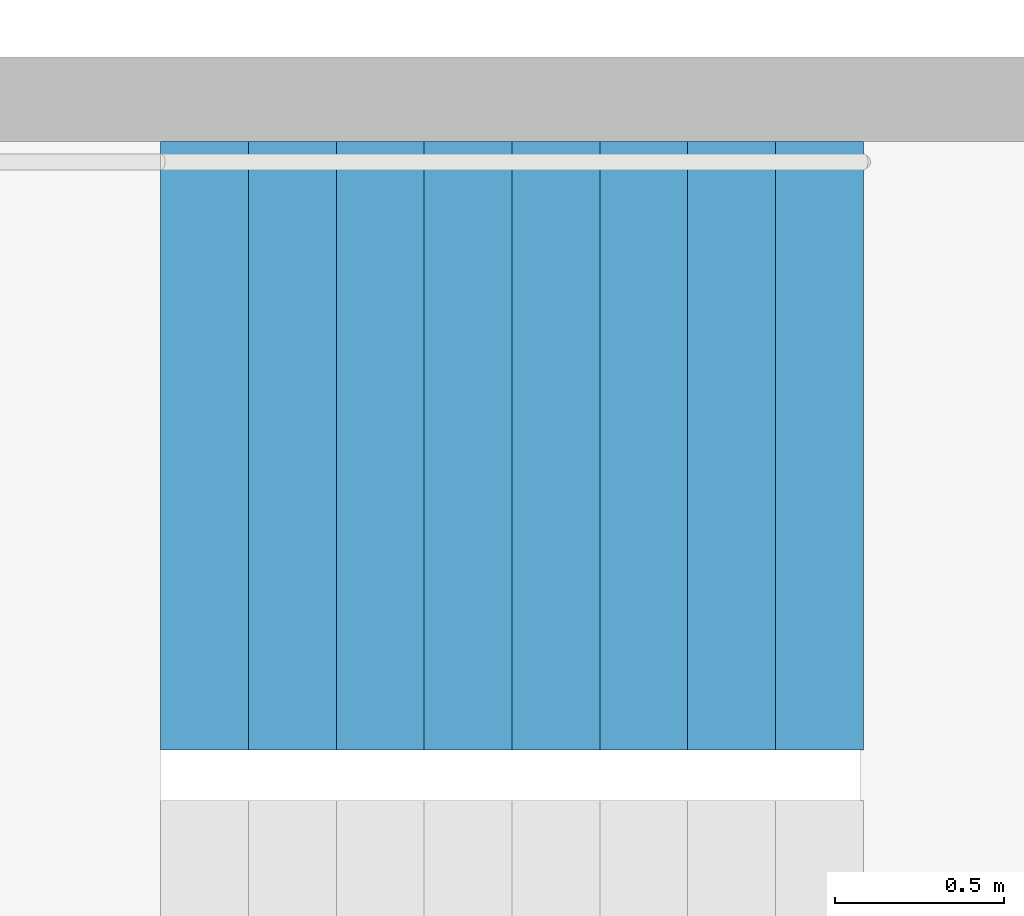
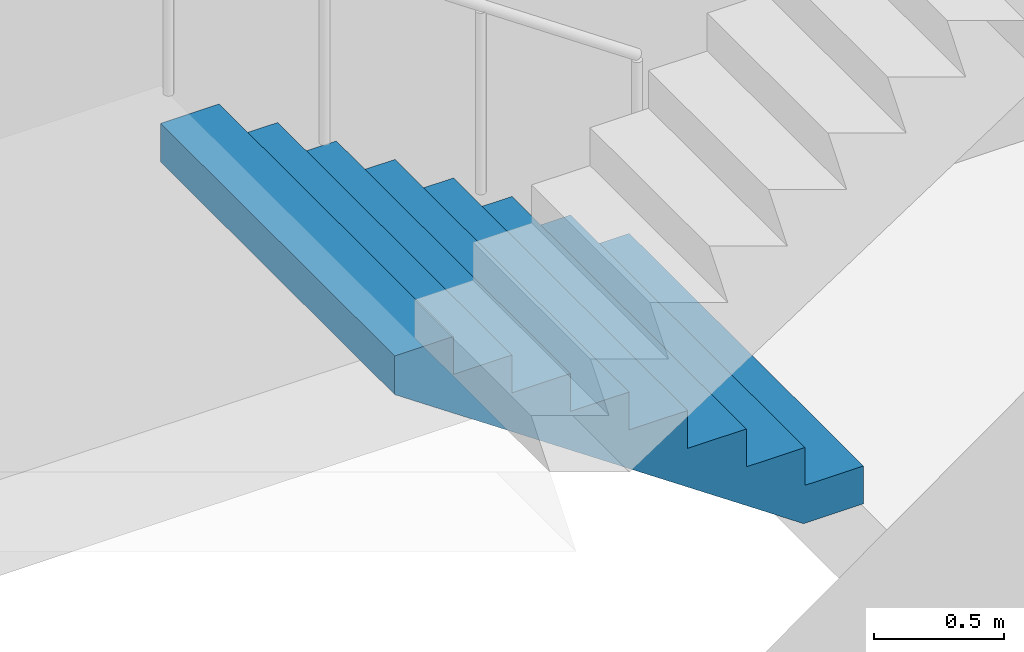
# One storey, part 18 of 29: 1 stair flight, 1 element without a shape of its own.
"""IFC4 building model written with IfcOpenShell, lengths in metres."""

from ifc_helpers import new_model, si_unit, direction, frame, origin, place, context, subcontext, project, spatial, triangles, material, type_object, element, aggregate, save


model = new_model("IFC4")

# Units and contexts
model_context = context("Model", 3, precision=1e-05, world=origin(), true_north=direction((0.0, 1.0)))
body_context = subcontext(model_context, "Body", "Model", "MODEL_VIEW")
ifc_project = project(units=[si_unit("LENGTHUNIT", "METRE"), si_unit("AREAUNIT", "SQUARE_METRE"), si_unit("VOLUMEUNIT", "CUBIC_METRE"), si_unit("PLANEANGLEUNIT", "RADIAN"), si_unit("MASSUNIT", "GRAM", prefix="KILO")], contexts=[model_context])

# Site, building, storey
site_placement = place(None, origin())
site = spatial("IfcSite", under=ifc_project, at=site_placement, CompositionType="ELEMENT")
building_placement = place(site_placement, origin())
building = spatial("IfcBuilding", under=site, at=building_placement, Name="Hakoniwa Tower and Hamabe Station Hall", CompositionType="ELEMENT")
storey_placement = place(building_placement, frame((0.0, 0.0, 258.199951171875)))
storey = spatial("IfcBuildingStorey", under=building, at=storey_placement, Name="L73", CompositionType="ELEMENT", Elevation=258.199951171875)

# Stair, stair flight
ifc_material_1 = material(Name="Concrete C40", Category="concrete")
stair_type = type_object("IfcStairType", Name="ESCAPE STAIR 1800", PredefinedType="HALF_TURN_STAIR", material=ifc_material_1)
stair_placement = place(storey_placement, origin())
stair = element("IfcStair", 1, at=stair_placement, inside=storey, type_object=stair_type, Name="Escape stair ST-2 L73", PredefinedType="HALF_TURN_STAIR")
ifc_material_2 = material(Name="Concrete C40", Category="concrete")
stair_flight_type = type_object("IfcStairFlightType", Name="STAIR FLIGHT 1800", PredefinedType="STRAIGHT", material=ifc_material_2)
stair_flight_placement = place(storey_placement, frame((-23.39990234375, -4.64990234375, 0.0), z_axis=(0.0, 0.0, 1.0), x_axis=(-1.0, 0.0, 0.0)))
stair_flight = element("IfcStairFlight", 2, at=stair_flight_placement, type_object=stair_flight_type, Name="ST-2 flight 1", NumberOfRisers=9, NumberOfTreads=8, PredefinedType="STRAIGHT", RiserHeight=0.177777778, TreadLength=0.26, context=body_context, shape_type="Tessellation", body=[
    triangles([(0.0, 0.89990234375, 0.0), (0.260009765625, 0.89990234375, 0.0), (0.265625, 0.89990234375, 0.0), (0.52001953125, 0.89990234375, 0.174072265625), (0.780029296875, 0.89990234375, 0.351806640625), (1.0400390625, 0.89990234375, 0.529541015625), (1.300048828125, 0.89990234375, 0.707275390625), (1.56005859375, 0.89990234375, 0.885009765625), (1.820068359375, 0.89990234375, 1.062744140625), (2.080078125, 0.89990234375, 1.24072265625), (2.080078125, 0.89990234375, 1.422119140625), (1.820068359375, 0.89990234375, 1.422119140625), (1.820068359375, 0.89990234375, 1.244384765625), (1.56005859375, 0.89990234375, 1.244384765625), (1.56005859375, 0.89990234375, 1.066650390625), (1.300048828125, 0.89990234375, 1.066650390625), (1.300048828125, 0.89990234375, 0.888916015625), (1.0400390625, 0.89990234375, 0.888916015625), (1.0400390625, 0.89990234375, 0.711181640625), (0.780029296875, 0.89990234375, 0.711181640625), (0.780029296875, 0.89990234375, 0.533447265625), (0.52001953125, 0.89990234375, 0.533447265625), (0.52001953125, 0.89990234375, 0.35546875), (0.265625, 0.89990234375, 0.35546875), (0.260009765625, 0.89990234375, 0.35546875), (0.260009765625, 0.89990234375, 0.177734375), (0.0, 0.89990234375, 0.177734375), (0.0, 0.06005859375, 0.0), (0.260009765625, 0.06005859375, 0.0), (0.265625, 0.06005859375, 0.0), (0.52001953125, 0.06005859375, 0.174072265625), (0.780029296875, 0.06005859375, 0.351806640625), (1.0400390625, 0.06005859375, 0.529541015625), (1.300048828125, 0.06005859375, 0.707275390625), (1.56005859375, 0.06005859375, 0.885009765625), (1.820068359375, 0.06005859375, 1.062744140625), (2.080078125, 0.06005859375, 1.24072265625), (2.080078125, 0.06005859375, 1.422119140625), (1.820068359375, 0.06005859375, 1.422119140625), (1.820068359375, 0.06005859375, 1.244384765625), (1.56005859375, 0.06005859375, 1.244384765625), (1.56005859375, 0.06005859375, 1.066650390625), (1.300048828125, 0.06005859375, 1.066650390625), (1.300048828125, 0.06005859375, 0.888916015625), (1.0400390625, 0.06005859375, 0.888916015625), (1.0400390625, 0.06005859375, 0.711181640625), (0.780029296875, 0.06005859375, 0.711181640625), (0.780029296875, 0.06005859375, 0.533447265625), (0.52001953125, 0.06005859375, 0.533447265625), (0.52001953125, 0.06005859375, 0.35546875), (0.265625, 0.06005859375, 0.35546875), (0.260009765625, 0.06005859375, 0.35546875), (0.260009765625, 0.06005859375, 0.177734375), (0.0, 0.06005859375, 0.177734375), (0.0, 0.04296875, 0.0), (0.260009765625, 0.04296875, 0.0), (0.265625, 0.04296875, 0.0), (0.52001953125, 0.04296875, 0.174072265625), (0.780029296875, 0.04296875, 0.351806640625), (1.0400390625, 0.04296875, 0.529541015625), (1.300048828125, 0.04296875, 0.707275390625), (1.56005859375, 0.04296875, 0.885009765625), (1.820068359375, 0.04296875, 1.062744140625), (2.080078125, 0.04296875, 1.24072265625), (2.080078125, 0.04296875, 1.422119140625), (1.820068359375, 0.04296875, 1.422119140625), (1.820068359375, 0.04296875, 1.244384765625), (1.56005859375, 0.04296875, 1.244384765625), (1.56005859375, 0.04296875, 1.066650390625), (1.300048828125, 0.04296875, 1.066650390625), (1.300048828125, 0.04296875, 0.888916015625), (1.0400390625, 0.04296875, 0.888916015625), (1.0400390625, 0.04296875, 0.711181640625), (0.780029296875, 0.04296875, 0.711181640625), (0.780029296875, 0.04296875, 0.533447265625), (0.52001953125, 0.04296875, 0.533447265625), (0.52001953125, 0.04296875, 0.35546875), (0.265625, 0.04296875, 0.35546875), (0.260009765625, 0.04296875, 0.35546875), (0.260009765625, 0.04296875, 0.177734375), (0.0, 0.04296875, 0.177734375), (0.0, 0.025634765625, 0.0), (0.260009765625, 0.025634765625, 0.0), (0.265625, 0.025634765625, 0.0), (0.52001953125, 0.025634765625, 0.174072265625), (0.780029296875, 0.025634765625, 0.351806640625), (1.0400390625, 0.025634765625, 0.529541015625), (1.300048828125, 0.025634765625, 0.707275390625), (1.56005859375, 0.025634765625, 0.885009765625), (1.820068359375, 0.025634765625, 1.062744140625), (2.080078125, 0.025634765625, 1.24072265625), (2.080078125, 0.025634765625, 1.422119140625), (1.820068359375, 0.025634765625, 1.422119140625), (1.820068359375, 0.025634765625, 1.244384765625), (1.56005859375, 0.025634765625, 1.244384765625), (1.56005859375, 0.025634765625, 1.066650390625), (1.300048828125, 0.025634765625, 1.066650390625), (1.300048828125, 0.025634765625, 0.888916015625), (1.0400390625, 0.025634765625, 0.888916015625), (1.0400390625, 0.025634765625, 0.711181640625), (0.780029296875, 0.025634765625, 0.711181640625), (0.780029296875, 0.025634765625, 0.533447265625), (0.52001953125, 0.025634765625, 0.533447265625), (0.52001953125, 0.025634765625, 0.35546875), (0.265625, 0.025634765625, 0.35546875), (0.260009765625, 0.025634765625, 0.35546875), (0.260009765625, 0.025634765625, 0.177734375), (0.0, 0.025634765625, 0.177734375), (0.0, 0.008544921875, 0.0), (0.260009765625, 0.008544921875, 0.0), (0.265625, 0.008544921875, 0.0), (0.52001953125, 0.008544921875, 0.174072265625), (0.780029296875, 0.008544921875, 0.351806640625), (1.0400390625, 0.008544921875, 0.529541015625), (1.300048828125, 0.008544921875, 0.707275390625), (1.56005859375, 0.008544921875, 0.885009765625), (1.820068359375, 0.008544921875, 1.062744140625), (2.080078125, 0.008544921875, 1.24072265625), (2.080078125, 0.008544921875, 1.422119140625), (1.820068359375, 0.008544921875, 1.422119140625), (1.820068359375, 0.008544921875, 1.244384765625), (1.56005859375, 0.008544921875, 1.244384765625), (1.56005859375, 0.008544921875, 1.066650390625), (1.300048828125, 0.008544921875, 1.066650390625), (1.300048828125, 0.008544921875, 0.888916015625), (1.0400390625, 0.008544921875, 0.888916015625), (1.0400390625, 0.008544921875, 0.711181640625), (0.780029296875, 0.008544921875, 0.711181640625), (0.780029296875, 0.008544921875, 0.533447265625), (0.52001953125, 0.008544921875, 0.533447265625), (0.52001953125, 0.008544921875, 0.35546875), (0.265625, 0.008544921875, 0.35546875), (0.260009765625, 0.008544921875, 0.35546875), (0.260009765625, 0.008544921875, 0.177734375), (0.0, 0.008544921875, 0.177734375), (0.0, -0.008544921875, 0.0), (0.260009765625, -0.008544921875, 0.0), (0.265625, -0.008544921875, 0.0), (0.52001953125, -0.008544921875, 0.174072265625), (0.780029296875, -0.008544921875, 0.351806640625), (1.0400390625, -0.008544921875, 0.529541015625), (1.300048828125, -0.008544921875, 0.707275390625), (1.56005859375, -0.008544921875, 0.885009765625), (1.820068359375, -0.008544921875, 1.062744140625), (2.080078125, -0.008544921875, 1.24072265625), (2.080078125, -0.008544921875, 1.422119140625), (1.820068359375, -0.008544921875, 1.422119140625), (1.820068359375, -0.008544921875, 1.244384765625), (1.56005859375, -0.008544921875, 1.244384765625), (1.56005859375, -0.008544921875, 1.066650390625), (1.300048828125, -0.008544921875, 1.066650390625), (1.300048828125, -0.008544921875, 0.888916015625), (1.0400390625, -0.008544921875, 0.888916015625), (1.0400390625, -0.008544921875, 0.711181640625), (0.780029296875, -0.008544921875, 0.711181640625), (0.780029296875, -0.008544921875, 0.533447265625), (0.52001953125, -0.008544921875, 0.533447265625), (0.52001953125, -0.008544921875, 0.35546875), (0.265625, -0.008544921875, 0.35546875), (0.260009765625, -0.008544921875, 0.35546875), (0.260009765625, -0.008544921875, 0.177734375), (0.0, -0.008544921875, 0.177734375), (0.0, -0.025634765625, 0.0), (0.260009765625, -0.025634765625, 0.0), (0.265625, -0.025634765625, 0.0), (0.52001953125, -0.025634765625, 0.174072265625), (0.780029296875, -0.025634765625, 0.351806640625), (1.0400390625, -0.025634765625, 0.529541015625), (1.300048828125, -0.025634765625, 0.707275390625), (1.56005859375, -0.025634765625, 0.885009765625), (1.820068359375, -0.025634765625, 1.062744140625), (2.080078125, -0.025634765625, 1.24072265625), (2.080078125, -0.025634765625, 1.422119140625), (1.820068359375, -0.025634765625, 1.422119140625), (1.820068359375, -0.025634765625, 1.244384765625), (1.56005859375, -0.025634765625, 1.244384765625), (1.56005859375, -0.025634765625, 1.066650390625), (1.300048828125, -0.025634765625, 1.066650390625), (1.300048828125, -0.025634765625, 0.888916015625), (1.0400390625, -0.025634765625, 0.888916015625), (1.0400390625, -0.025634765625, 0.711181640625), (0.780029296875, -0.025634765625, 0.711181640625), (0.780029296875, -0.025634765625, 0.533447265625), (0.52001953125, -0.025634765625, 0.533447265625), (0.52001953125, -0.025634765625, 0.35546875), (0.265625, -0.025634765625, 0.35546875), (0.260009765625, -0.025634765625, 0.35546875), (0.260009765625, -0.025634765625, 0.177734375), (0.0, -0.025634765625, 0.177734375), (0.0, -0.04296875, 0.0), (0.260009765625, -0.04296875, 0.0), (0.265625, -0.04296875, 0.0), (0.52001953125, -0.04296875, 0.174072265625), (0.780029296875, -0.04296875, 0.351806640625), (1.0400390625, -0.04296875, 0.529541015625), (1.300048828125, -0.04296875, 0.707275390625), (1.56005859375, -0.04296875, 0.885009765625), (1.820068359375, -0.04296875, 1.062744140625), (2.080078125, -0.04296875, 1.24072265625), (2.080078125, -0.04296875, 1.422119140625), (1.820068359375, -0.04296875, 1.422119140625), (1.820068359375, -0.04296875, 1.244384765625), (1.56005859375, -0.04296875, 1.244384765625), (1.56005859375, -0.04296875, 1.066650390625), (1.300048828125, -0.04296875, 1.066650390625), (1.300048828125, -0.04296875, 0.888916015625), (1.0400390625, -0.04296875, 0.888916015625), (1.0400390625, -0.04296875, 0.711181640625), (0.780029296875, -0.04296875, 0.711181640625), (0.780029296875, -0.04296875, 0.533447265625), (0.52001953125, -0.04296875, 0.533447265625), (0.52001953125, -0.04296875, 0.35546875), (0.265625, -0.04296875, 0.35546875), (0.260009765625, -0.04296875, 0.35546875), (0.260009765625, -0.04296875, 0.177734375), (0.0, -0.04296875, 0.177734375), (0.0, -0.06005859375, 0.0), (0.260009765625, -0.06005859375, 0.0), (0.265625, -0.06005859375, 0.0), (0.52001953125, -0.06005859375, 0.174072265625), (0.780029296875, -0.06005859375, 0.351806640625), (1.0400390625, -0.06005859375, 0.529541015625), (1.300048828125, -0.06005859375, 0.707275390625), (1.56005859375, -0.06005859375, 0.885009765625), (1.820068359375, -0.06005859375, 1.062744140625), (2.080078125, -0.06005859375, 1.24072265625), (2.080078125, -0.06005859375, 1.422119140625), (1.820068359375, -0.06005859375, 1.422119140625), (1.820068359375, -0.06005859375, 1.244384765625), (1.56005859375, -0.06005859375, 1.244384765625), (1.56005859375, -0.06005859375, 1.066650390625), (1.300048828125, -0.06005859375, 1.066650390625), (1.300048828125, -0.06005859375, 0.888916015625), (1.0400390625, -0.06005859375, 0.888916015625), (1.0400390625, -0.06005859375, 0.711181640625), (0.780029296875, -0.06005859375, 0.711181640625), (0.780029296875, -0.06005859375, 0.533447265625), (0.52001953125, -0.06005859375, 0.533447265625), (0.52001953125, -0.06005859375, 0.35546875), (0.265625, -0.06005859375, 0.35546875), (0.260009765625, -0.06005859375, 0.35546875), (0.260009765625, -0.06005859375, 0.177734375), (0.0, -0.06005859375, 0.177734375), (0.0, -0.89990234375, 0.0), (0.260009765625, -0.89990234375, 0.0), (0.265625, -0.89990234375, 0.0), (0.52001953125, -0.89990234375, 0.174072265625), (0.780029296875, -0.89990234375, 0.351806640625), (1.0400390625, -0.89990234375, 0.529541015625), (1.300048828125, -0.89990234375, 0.707275390625), (1.56005859375, -0.89990234375, 0.885009765625), (1.820068359375, -0.89990234375, 1.062744140625), (2.080078125, -0.89990234375, 1.24072265625), (2.080078125, -0.89990234375, 1.422119140625), (1.820068359375, -0.89990234375, 1.422119140625), (1.820068359375, -0.89990234375, 1.244384765625), (1.56005859375, -0.89990234375, 1.244384765625), (1.56005859375, -0.89990234375, 1.066650390625), (1.300048828125, -0.89990234375, 1.066650390625), (1.300048828125, -0.89990234375, 0.888916015625), (1.0400390625, -0.89990234375, 0.888916015625), (1.0400390625, -0.89990234375, 0.711181640625), (0.780029296875, -0.89990234375, 0.711181640625), (0.780029296875, -0.89990234375, 0.533447265625), (0.52001953125, -0.89990234375, 0.533447265625), (0.52001953125, -0.89990234375, 0.35546875), (0.265625, -0.89990234375, 0.35546875), (0.260009765625, -0.89990234375, 0.35546875), (0.260009765625, -0.89990234375, 0.177734375), (0.0, -0.89990234375, 0.177734375)], [[2, 27, 26], [245, 269, 270], [2, 1, 27], [245, 270, 244], [3, 25, 24], [246, 267, 268], [3, 26, 25], [246, 268, 269], [3, 2, 26], [246, 269, 245], [4, 24, 23], [247, 266, 267], [4, 3, 24], [247, 267, 246], [5, 22, 21], [248, 264, 265], [5, 23, 22], [248, 265, 266], [5, 4, 23], [248, 266, 247], [6, 20, 19], [249, 262, 263], [6, 21, 20], [249, 263, 264], [6, 5, 21], [249, 264, 248], [7, 18, 17], [250, 260, 261], [7, 19, 18], [250, 261, 262], [7, 6, 19], [250, 262, 249], [8, 16, 15], [251, 258, 259], [8, 17, 16], [251, 259, 260], [8, 7, 17], [251, 260, 250], [9, 14, 13], [252, 256, 257], [9, 15, 14], [252, 257, 258], [9, 8, 15], [252, 258, 251], [10, 12, 11], [253, 254, 255], [10, 13, 12], [253, 255, 256], [10, 9, 13], [253, 256, 252], [1, 2, 29], [1, 29, 28], [28, 29, 56], [28, 56, 55], [55, 56, 83], [55, 83, 82], [82, 83, 110], [82, 110, 109], [109, 110, 137], [109, 137, 136], [136, 137, 164], [136, 164, 163], [163, 164, 191], [163, 191, 190], [190, 191, 218], [190, 218, 217], [217, 218, 245], [217, 245, 244], [2, 3, 30], [2, 30, 29], [29, 30, 57], [29, 57, 56], [56, 57, 84], [56, 84, 83], [83, 84, 111], [83, 111, 110], [110, 111, 138], [110, 138, 137], [137, 138, 165], [137, 165, 164], [164, 165, 192], [164, 192, 191], [191, 192, 219], [191, 219, 218], [218, 219, 246], [218, 246, 245], [3, 4, 31], [3, 31, 30], [30, 31, 58], [30, 58, 57], [57, 58, 85], [57, 85, 84], [84, 85, 112], [84, 112, 111], [111, 112, 139], [111, 139, 138], [138, 139, 166], [138, 166, 165], [165, 166, 193], [165, 193, 192], [192, 193, 220], [192, 220, 219], [219, 220, 247], [219, 247, 246], [4, 5, 32], [4, 32, 31], [31, 32, 59], [31, 59, 58], [58, 59, 86], [58, 86, 85], [85, 86, 113], [85, 113, 112], [112, 113, 140], [112, 140, 139], [139, 140, 167], [139, 167, 166], [166, 167, 194], [166, 194, 193], [193, 194, 221], [193, 221, 220], [220, 221, 248], [220, 248, 247], [5, 6, 33], [5, 33, 32], [32, 33, 60], [32, 60, 59], [59, 60, 87], [59, 87, 86], [86, 87, 114], [86, 114, 113], [113, 114, 141], [113, 141, 140], [140, 141, 168], [140, 168, 167], [167, 168, 195], [167, 195, 194], [194, 195, 222], [194, 222, 221], [221, 222, 249], [221, 249, 248], [6, 7, 34], [6, 34, 33], [33, 34, 61], [33, 61, 60], [60, 61, 88], [60, 88, 87], [87, 88, 115], [87, 115, 114], [114, 115, 142], [114, 142, 141], [141, 142, 169], [141, 169, 168], [168, 169, 196], [168, 196, 195], [195, 196, 223], [195, 223, 222], [222, 223, 250], [222, 250, 249], [7, 8, 35], [7, 35, 34], [34, 35, 62], [34, 62, 61], [61, 62, 89], [61, 89, 88], [88, 89, 116], [88, 116, 115], [115, 116, 143], [115, 143, 142], [142, 143, 170], [142, 170, 169], [169, 170, 197], [169, 197, 196], [196, 197, 224], [196, 224, 223], [223, 224, 251], [223, 251, 250], [8, 9, 36], [8, 36, 35], [35, 36, 63], [35, 63, 62], [62, 63, 90], [62, 90, 89], [89, 90, 117], [89, 117, 116], [116, 117, 144], [116, 144, 143], [143, 144, 171], [143, 171, 170], [170, 171, 198], [170, 198, 197], [197, 198, 225], [197, 225, 224], [224, 225, 252], [224, 252, 251], [9, 10, 37], [9, 37, 36], [36, 37, 64], [36, 64, 63], [63, 64, 91], [63, 91, 90], [90, 91, 118], [90, 118, 117], [117, 118, 145], [117, 145, 144], [144, 145, 172], [144, 172, 171], [171, 172, 199], [171, 199, 198], [198, 199, 226], [198, 226, 225], [225, 226, 253], [225, 253, 252], [10, 11, 38], [10, 38, 37], [37, 38, 65], [37, 65, 64], [64, 65, 92], [64, 92, 91], [91, 92, 119], [91, 119, 118], [118, 119, 146], [118, 146, 145], [145, 146, 173], [145, 173, 172], [172, 173, 200], [172, 200, 199], [199, 200, 227], [199, 227, 226], [226, 227, 254], [226, 254, 253], [11, 12, 39], [11, 39, 38], [38, 39, 66], [38, 66, 65], [65, 66, 93], [65, 93, 92], [92, 93, 120], [92, 120, 119], [119, 120, 147], [119, 147, 146], [146, 147, 174], [146, 174, 173], [173, 174, 201], [173, 201, 200], [200, 201, 228], [200, 228, 227], [227, 228, 255], [227, 255, 254], [12, 13, 40], [12, 40, 39], [39, 40, 67], [39, 67, 66], [66, 67, 94], [66, 94, 93], [93, 94, 121], [93, 121, 120], [120, 121, 148], [120, 148, 147], [147, 148, 175], [147, 175, 174], [174, 175, 202], [174, 202, 201], [201, 202, 229], [201, 229, 228], [228, 229, 256], [228, 256, 255], [13, 14, 41], [13, 41, 40], [40, 41, 68], [40, 68, 67], [67, 68, 95], [67, 95, 94], [94, 95, 122], [94, 122, 121], [121, 122, 149], [121, 149, 148], [148, 149, 176], [148, 176, 175], [175, 176, 203], [175, 203, 202], [202, 203, 230], [202, 230, 229], [229, 230, 257], [229, 257, 256], [14, 15, 42], [14, 42, 41], [41, 42, 69], [41, 69, 68], [68, 69, 96], [68, 96, 95], [95, 96, 123], [95, 123, 122], [122, 123, 150], [122, 150, 149], [149, 150, 177], [149, 177, 176], [176, 177, 204], [176, 204, 203], [203, 204, 231], [203, 231, 230], [230, 231, 258], [230, 258, 257], [15, 16, 43], [15, 43, 42], [42, 43, 70], [42, 70, 69], [69, 70, 97], [69, 97, 96], [96, 97, 124], [96, 124, 123], [123, 124, 151], [123, 151, 150], [150, 151, 178], [150, 178, 177], [177, 178, 205], [177, 205, 204], [204, 205, 232], [204, 232, 231], [231, 232, 259], [231, 259, 258], [16, 17, 44], [16, 44, 43], [43, 44, 71], [43, 71, 70], [70, 71, 98], [70, 98, 97], [97, 98, 125], [97, 125, 124], [124, 125, 152], [124, 152, 151], [151, 152, 179], [151, 179, 178], [178, 179, 206], [178, 206, 205], [205, 206, 233], [205, 233, 232], [232, 233, 260], [232, 260, 259], [17, 18, 45], [17, 45, 44], [44, 45, 72], [44, 72, 71], [71, 72, 99], [71, 99, 98], [98, 99, 126], [98, 126, 125], [125, 126, 153], [125, 153, 152], [152, 153, 180], [152, 180, 179], [179, 180, 207], [179, 207, 206], [206, 207, 234], [206, 234, 233], [233, 234, 261], [233, 261, 260], [18, 19, 46], [18, 46, 45], [45, 46, 73], [45, 73, 72], [72, 73, 100], [72, 100, 99], [99, 100, 127], [99, 127, 126], [126, 127, 154], [126, 154, 153], [153, 154, 181], [153, 181, 180], [180, 181, 208], [180, 208, 207], [207, 208, 235], [207, 235, 234], [234, 235, 262], [234, 262, 261], [19, 20, 47], [19, 47, 46], [46, 47, 74], [46, 74, 73], [73, 74, 101], [73, 101, 100], [100, 101, 128], [100, 128, 127], [127, 128, 155], [127, 155, 154], [154, 155, 182], [154, 182, 181], [181, 182, 209], [181, 209, 208], [208, 209, 236], [208, 236, 235], [235, 236, 263], [235, 263, 262], [20, 21, 48], [20, 48, 47], [47, 48, 75], [47, 75, 74], [74, 75, 102], [74, 102, 101], [101, 102, 129], [101, 129, 128], [128, 129, 156], [128, 156, 155], [155, 156, 183], [155, 183, 182], [182, 183, 210], [182, 210, 209], [209, 210, 237], [209, 237, 236], [236, 237, 264], [236, 264, 263], [21, 22, 49], [21, 49, 48], [48, 49, 76], [48, 76, 75], [75, 76, 103], [75, 103, 102], [102, 103, 130], [102, 130, 129], [129, 130, 157], [129, 157, 156], [156, 157, 184], [156, 184, 183], [183, 184, 211], [183, 211, 210], [210, 211, 238], [210, 238, 237], [237, 238, 265], [237, 265, 264], [22, 23, 50], [22, 50, 49], [49, 50, 77], [49, 77, 76], [76, 77, 104], [76, 104, 103], [103, 104, 131], [103, 131, 130], [130, 131, 158], [130, 158, 157], [157, 158, 185], [157, 185, 184], [184, 185, 212], [184, 212, 211], [211, 212, 239], [211, 239, 238], [238, 239, 266], [238, 266, 265], [23, 24, 51], [23, 51, 50], [50, 51, 78], [50, 78, 77], [77, 78, 105], [77, 105, 104], [104, 105, 132], [104, 132, 131], [131, 132, 159], [131, 159, 158], [158, 159, 186], [158, 186, 185], [185, 186, 213], [185, 213, 212], [212, 213, 240], [212, 240, 239], [239, 240, 267], [239, 267, 266], [24, 25, 52], [24, 52, 51], [51, 52, 79], [51, 79, 78], [78, 79, 106], [78, 106, 105], [105, 106, 133], [105, 133, 132], [132, 133, 160], [132, 160, 159], [159, 160, 187], [159, 187, 186], [186, 187, 214], [186, 214, 213], [213, 214, 241], [213, 241, 240], [240, 241, 268], [240, 268, 267], [25, 26, 53], [25, 53, 52], [52, 53, 80], [52, 80, 79], [79, 80, 107], [79, 107, 106], [106, 107, 134], [106, 134, 133], [133, 134, 161], [133, 161, 160], [160, 161, 188], [160, 188, 187], [187, 188, 215], [187, 215, 214], [214, 215, 242], [214, 242, 241], [241, 242, 269], [241, 269, 268], [26, 27, 54], [26, 54, 53], [53, 54, 81], [53, 81, 80], [80, 81, 108], [80, 108, 107], [107, 108, 135], [107, 135, 134], [134, 135, 162], [134, 162, 161], [161, 162, 189], [161, 189, 188], [188, 189, 216], [188, 216, 215], [215, 216, 243], [215, 243, 242], [242, 243, 270], [242, 270, 269], [27, 1, 28], [27, 28, 54], [54, 28, 55], [54, 55, 81], [81, 55, 82], [81, 82, 108], [108, 82, 109], [108, 109, 135], [135, 109, 136], [135, 136, 162], [162, 136, 163], [162, 163, 189], [189, 163, 190], [189, 190, 216], [216, 190, 217], [216, 217, 243], [243, 217, 244], [243, 244, 270]], closed=True),
])
aggregate(stair, [stair_flight])

save(model, "model.ifc")
